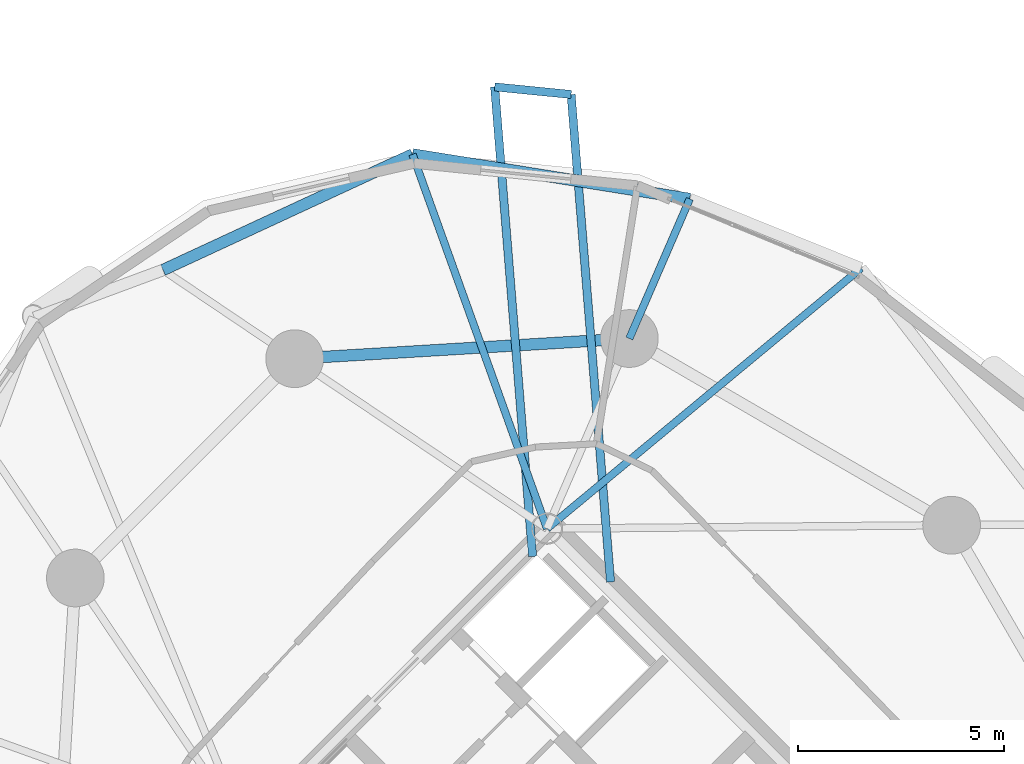
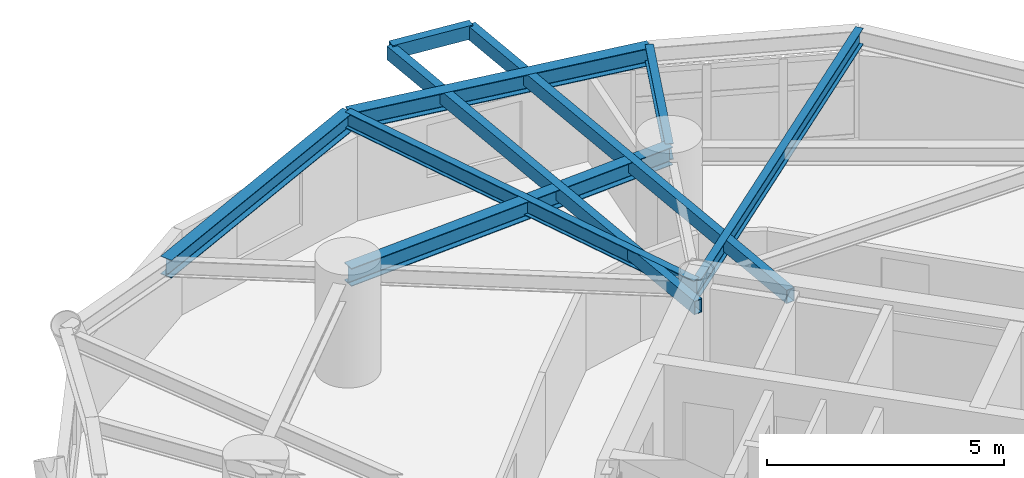
# One storey, part 6 of 16: 9 beams.
"""IFC4 building model written with IfcOpenShell, lengths in metres."""

from ifc_helpers import new_model, si_unit, direction, frame, origin, origin_2d, place, context, subcontext, project, spatial, hollow_rectangle, i_section, extrude, material, material_profile, profile_set, type_object, element, save


model = new_model("IFC4")

# Units and contexts
model_context = context("Model", 3, precision=1e-05, world=origin(), true_north=direction((0.0, 1.0)))
body_context = subcontext(model_context, "Body", "Model", "MODEL_VIEW")
ifc_project = project(units=[si_unit("LENGTHUNIT", "METRE"), si_unit("AREAUNIT", "SQUARE_METRE"), si_unit("VOLUMEUNIT", "CUBIC_METRE"), si_unit("PLANEANGLEUNIT", "RADIAN"), si_unit("MASSUNIT", "GRAM", prefix="KILO")], contexts=[model_context])

# Site, building, storey
site_placement = place(None, origin())
site = spatial("IfcSite", under=ifc_project, at=site_placement, CompositionType="ELEMENT")
building_placement = place(site_placement, origin())
building = spatial("IfcBuilding", under=site, at=building_placement, Name="Cununo Teusaquillo Station Towers", CompositionType="ELEMENT")
storey_placement = place(building_placement, frame((0.0, 0.0, 73.06005859375)))
storey = spatial("IfcBuildingStorey", under=building, at=storey_placement, Name="L22", CompositionType="ELEMENT", Elevation=73.06005859375)

# Beams
ifc_material_1 = material(Name="Steel EN 10025-2 S355J2", Category="steel")
ifc_material_profile_1 = material_profile(ifc_material_1, hollow_rectangle(XDim=0.199951171875, YDim=0.35009765625, WallThickness=0.013916015625, at=origin_2d()), Name="RHS 350x200x14")
ifc_profile_set_1 = profile_set([ifc_material_profile_1], Name="Steel EN 10025-2 S355J2")
beam_type_1 = type_object("IfcBeamType", Name="BM-BAL-CANT", PredefinedType="BEAM", material=ifc_profile_set_1)
beam_1_placement = place(storey_placement, frame((57.835205078125, 31.73095703125, 2.494873046875), z_axis=(-0.080635166538, 0.996743683159, 0.0), x_axis=(-0.996743683159, -0.080635166538, 0.0)))
element("IfcBeam", 1, at=beam_1_placement, inside=storey, type_object=beam_type_1, Name="L22 Tower B Balcony Cantilever Bracket 1A", PredefinedType="BEAM", context=body_context, shape_type="SweptSolid", body=[
    extrude(hollow_rectangle(XDim=0.199951171875, YDim=0.35009765625, WallThickness=0.013916015625, at=origin_2d()), origin(), (0.0, 0.0, 1.0), 11.862548828125),
])
beam_2_placement = place(storey_placement, frame((55.945068359375, 32.349609375, 2.494873046875), z_axis=(-0.080615645749, 0.996745262171, 0.0), x_axis=(-0.996745262171, -0.080615645749, 0.0)))
element("IfcBeam", 2, at=beam_2_placement, inside=storey, type_object=beam_type_1, Name="L22 Tower B Balcony Cantilever Bracket 1B", PredefinedType="BEAM", context=body_context, shape_type="SweptSolid", body=[
    extrude(hollow_rectangle(XDim=0.199951171875, YDim=0.35009765625, WallThickness=0.013916015625, at=origin_2d()), origin(), (0.0, 0.0, 1.0), 11.42626953125),
])
ifc_material_2 = material(Name="Steel ASTM A572 Grade 50", Category="steel")
ifc_material_profile_2 = material_profile(ifc_material_2, i_section(OverallWidth=0.180908203125, OverallDepth=0.4169921875, WebThickness=0.010986328125, FlangeThickness=0.018310546875, FilletRadius=0.012939453125, at=origin_2d()), Name="W16X57")
ifc_profile_set_2 = profile_set([ifc_material_profile_2], Name="Steel ASTM A572 Grade 50")
beam_type_2 = type_object("IfcBeamType", Name="BM-JOIST-1", PredefinedType="JOIST", material=ifc_profile_set_2)
beam_3_placement = place(storey_placement, frame((56.29443359375, 33.024169921875, 2.46142578125), z_axis=(0.769727799615, 0.638372238196, 0.0), x_axis=(-0.638372238196, 0.769727799615, 0.0)))
element("IfcBeam", 3, at=beam_3_placement, inside=storey, type_object=beam_type_2, Name="L22 Tower B Radial Spandrel Joist V01", PredefinedType="JOIST", context=body_context, shape_type="SweptSolid", body=[
    extrude(i_section(OverallWidth=0.180908203125, OverallDepth=0.4169921875, WebThickness=0.010986328125, FlangeThickness=0.018310546875, FilletRadius=0.012939453125, at=origin_2d()), origin(), (0.0, 0.0, 1.0), 9.895263671875),
])
beam_4_placement = place(storey_placement, frame((56.29443359375, 33.024169921875, 2.46142578125), z_axis=(-0.338176312038, 0.941082771055, 0.0), x_axis=(-0.941082771055, -0.338176312038, 0.0)))
element("IfcBeam", 4, at=beam_4_placement, inside=storey, type_object=beam_type_2, Name="L22 Tower B Radial Spandrel Joist V03", PredefinedType="JOIST", context=body_context, shape_type="SweptSolid", body=[
    extrude(i_section(OverallWidth=0.180908203125, OverallDepth=0.4169921875, WebThickness=0.010986328125, FlangeThickness=0.018310546875, FilletRadius=0.012939453125, at=origin_2d()), origin(), (0.0, 0.0, 1.0), 9.646484375),
])
ifc_material_3 = material(Name="Steel ASTM A572 Grade 50", Category="steel")
ifc_material_profile_3 = material_profile(ifc_material_3, i_section(OverallWidth=0.180908203125, OverallDepth=0.4169921875, WebThickness=0.010986328125, FlangeThickness=0.018310546875, FilletRadius=0.012939453125, at=origin_2d()), Name="W16X57")
ifc_profile_set_3 = profile_set([ifc_material_profile_3], Name="Steel ASTM A572 Grade 50")
beam_type_3 = type_object("IfcBeamType", Name="BM-RAD-G2", PredefinedType="BEAM", material=ifc_profile_set_3)
beam_5_placement = place(storey_placement, frame((58.291015625, 37.63525390625, 2.46142578125), z_axis=(0.397421761279, 0.917636062751, 0.0), x_axis=(-0.917636062751, 0.397421761279, 0.0)))
element("IfcBeam", 5, at=beam_5_placement, inside=storey, type_object=beam_type_3, Name="L22 Tower B Perimeter Overhang Girder 02B", PredefinedType="BEAM", context=body_context, shape_type="SweptSolid", body=[
    extrude(i_section(OverallWidth=0.180908203125, OverallDepth=0.4169921875, WebThickness=0.010986328125, FlangeThickness=0.018310546875, FilletRadius=0.012939453125, at=origin_2d()), origin(), (0.0, 0.0, 1.0), 3.690185546875),
])
ifc_material_4 = material(Name="Steel ASTM A572 Grade 50", Category="steel")
ifc_material_profile_4 = material_profile(ifc_material_4, i_section(OverallWidth=0.280029296875, OverallDepth=0.462890625, WebThickness=0.0107421875, FlangeThickness=0.017333984375, FilletRadius=0.013916015625, at=origin_2d()), Name="W18X76")
ifc_profile_set_4 = profile_set([ifc_material_profile_4], Name="Steel ASTM A572 Grade 50")
beam_type_4 = type_object("IfcBeamType", Name="BM-RING-Z2", PredefinedType="SPANDREL", material=ifc_profile_set_4)
beam_6_placement = place(storey_placement, frame((58.291015625, 37.63525390625, 2.4384765625), z_axis=(-0.998190567048, -0.06012979176, 0.0), x_axis=(0.06012979176, -0.998190567048, 0.0)))
element("IfcBeam", 6, at=beam_6_placement, inside=storey, type_object=beam_type_4, Name="L22 Tower B Structural Column Ring Girder 02", PredefinedType="SPANDREL", context=body_context, shape_type="SweptSolid", body=[
    extrude(i_section(OverallWidth=0.280029296875, OverallDepth=0.462890625, WebThickness=0.0107421875, FlangeThickness=0.017333984375, FilletRadius=0.013916015625, at=origin_2d()), origin(), (0.0, 0.0, 1.0), 8.132568359375),
])
beam_7_placement = place(storey_placement, frame((59.757568359375, 41.021484375, 2.4384765625), z_axis=(-0.987331474246, 0.158671232312, 0.0), x_axis=(-0.158671232312, -0.987331474246, 0.0)))
element("IfcBeam", 7, at=beam_7_placement, inside=storey, type_object=beam_type_4, Name="L22 Tower B Spandrel Ring Beam 03", PredefinedType="SPANDREL", context=body_context, shape_type="SweptSolid", body=[
    extrude(i_section(OverallWidth=0.280029296875, OverallDepth=0.462890625, WebThickness=0.0107421875, FlangeThickness=0.017333984375, FilletRadius=0.013916015625, at=origin_2d()), origin(), (0.0, 0.0, 1.0), 6.8115234375),
])
beam_8_placement = place(storey_placement, frame((53.0322265625, 42.102294921875, 2.4384765625), z_axis=(-0.907275870354, -0.420535961689, 0.0), x_axis=(0.420535961689, -0.907275870354, 0.0)))
element("IfcBeam", 8, at=beam_8_placement, inside=storey, type_object=beam_type_4, Name="L22 Tower B Spandrel Ring Beam 04", PredefinedType="SPANDREL", context=body_context, shape_type="SweptSolid", body=[
    extrude(i_section(OverallWidth=0.280029296875, OverallDepth=0.462890625, WebThickness=0.0107421875, FlangeThickness=0.017333984375, FilletRadius=0.013916015625, at=origin_2d()), origin(), (0.0, 0.0, 1.0), 6.671142578125),
])
ifc_material_5 = material(Name="Steel EN 10025-2 S355J2", Category="steel")
ifc_material_profile_5 = material_profile(ifc_material_5, hollow_rectangle(XDim=0.199951171875, YDim=0.35009765625, WallThickness=0.013916015625, at=origin_2d()), Name="RHS 350x200x14")
ifc_profile_set_5 = profile_set([ifc_material_profile_5], Name="Steel EN 10025-2 S355J2")
beam_type_5 = type_object("IfcBeamType", Name="BM-STAIR-TRIM", PredefinedType="BEAM", material=ifc_profile_set_5)
beam_9_placement = place(storey_placement, frame((56.878662109375, 43.554931640625, 2.52490234375), z_axis=(-0.995123704518, 0.098634743912, 0.0), x_axis=(-0.098634743912, -0.995123704518, 0.0)))
element("IfcBeam", 9, at=beam_9_placement, inside=storey, type_object=beam_type_5, Name="L22 Tower B Balcony Edge Trimmer Beam 1", PredefinedType="BEAM", context=body_context, shape_type="SweptSolid", body=[
    extrude(hollow_rectangle(XDim=0.199951171875, YDim=0.35009765625, WallThickness=0.013916015625, at=origin_2d()), origin(), (0.0, 0.0, 1.0), 1.86376953125),
])

save(model, "model.ifc")
